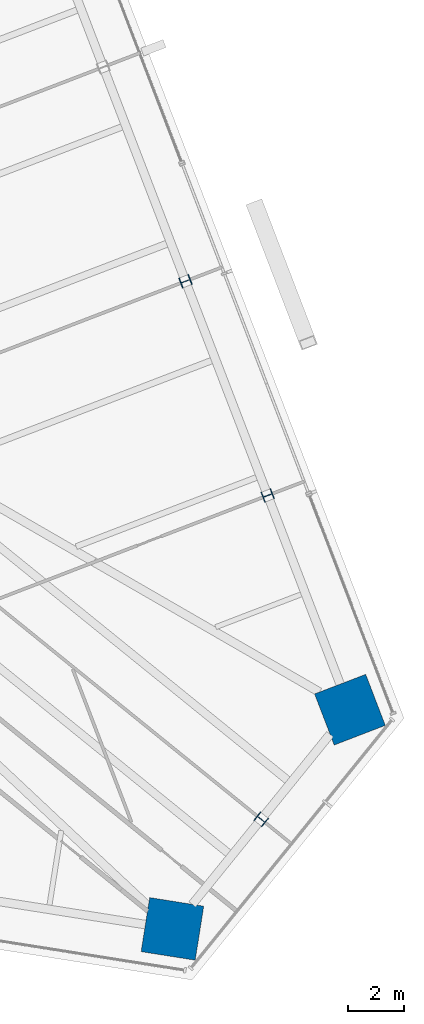
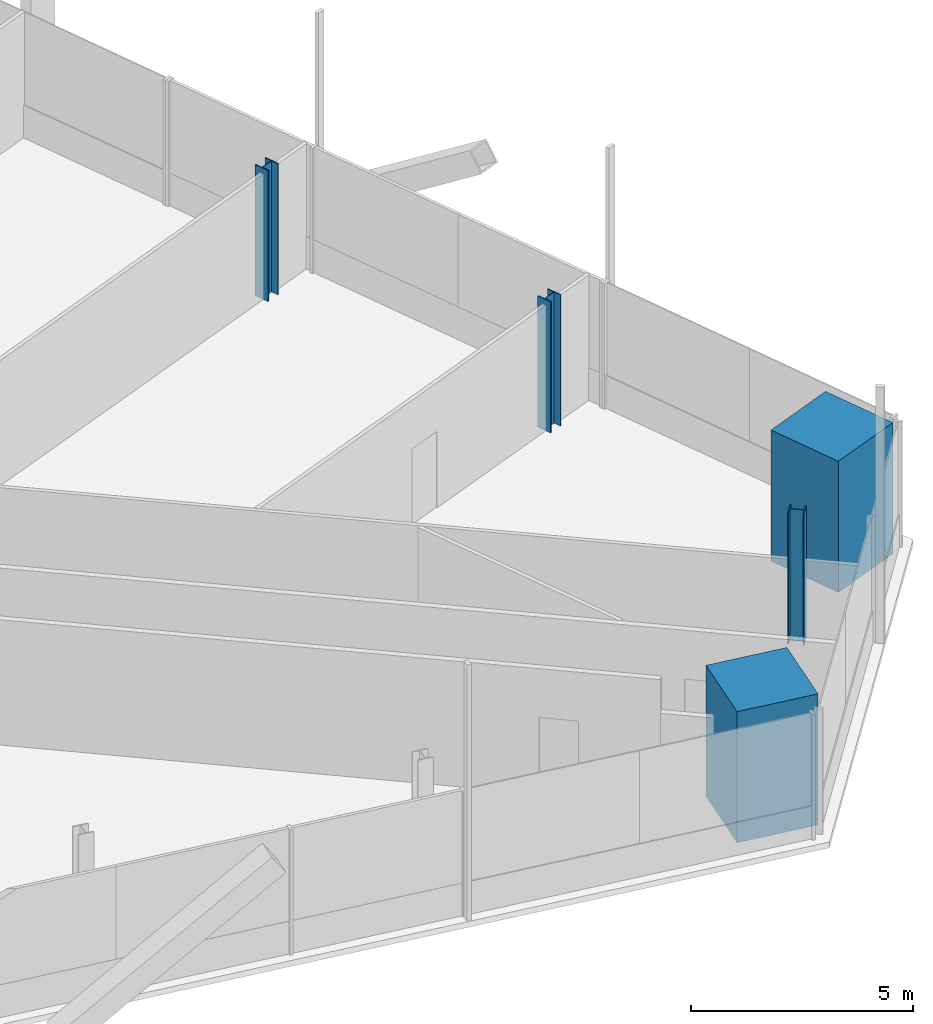
# One storey, part 2 of 21: 5 columns.
"""IFC4 building model written with IfcOpenShell, lengths in metres."""

from ifc_helpers import new_model, si_unit, direction, frame, origin, origin_2d, place, context, subcontext, project, spatial, rectangle, i_section, extrude, source, transform, mapped, material, material_profile, profile_set, type_object, element, save


model = new_model("IFC4")

# Units and contexts
model_context = context("Model", 3, precision=1e-05, world=origin(), true_north=direction((0.0, 1.0)))
body_context = subcontext(model_context, "Body", "Model", "MODEL_VIEW")
ifc_project = project(units=[si_unit("LENGTHUNIT", "METRE"), si_unit("AREAUNIT", "SQUARE_METRE"), si_unit("VOLUMEUNIT", "CUBIC_METRE"), si_unit("PLANEANGLEUNIT", "RADIAN"), si_unit("MASSUNIT", "GRAM", prefix="KILO")], contexts=[model_context])

# Site, building, storey
site_placement = place(None, origin())
site = spatial("IfcSite", under=ifc_project, at=site_placement, CompositionType="ELEMENT")
building_placement = place(site_placement, origin())
building = spatial("IfcBuilding", under=site, at=building_placement, Name="Triune Harvest Tower", CompositionType="ELEMENT")
storey_placement = place(building_placement, frame((0.0, 0.0, 160.5)))
storey = spatial("IfcBuildingStorey", under=building, at=storey_placement, Name="L41", CompositionType="ELEMENT", Elevation=160.5)

# Columns
ifc_material_1 = material(Name="Concrete 70 MPa", Category="concrete")
ifc_material_profile_1 = material_profile(ifc_material_1, rectangle(XDim=1.949951171875, YDim=1.949951171875, at=origin_2d()), Name="Composite 1950x1950")
ifc_profile_set_1 = profile_set([ifc_material_profile_1], Name="Concrete 70 MPa")
column_type_1 = type_object("IfcColumnType", Name="MC-4 Mega column Composite 1950x1950", PredefinedType="COLUMN", material=ifc_profile_set_1)
shared_shape_1 = source(origin(), body_context, "Body", "SweptSolid", [
    extrude(rectangle(XDim=1.949951171875, YDim=1.949951171875, at=origin_2d()), origin(), (0.0, 0.0, 1.0), 3.60009765625),
])
for number, where, z_axis, x_axis, name in (
    (1, (27.425048828125, -15.742431640625, 0.0), (0.0, 0.0, 1.0), (-0.358367949545, 0.933580426497, 0.0), "col/L41/M0"),
    (2, (21.100341796875, -23.552734375, 0.0), (0.0, 0.0, 1.0), (0.987688340595, -0.15643446504, 0.0), "col/L41/M22"),
):
    element("IfcColumn", number, at=place(storey_placement, frame(where, z_axis=z_axis, x_axis=x_axis)), inside=storey, type_object=column_type_1, Name=name, PredefinedType="COLUMN", context=body_context, shape_type="MappedRepresentation", body=[
        mapped(shared_shape_1, transform((0.0, 0.0, 0.0), scale=1.0)),
    ])
ifc_material_2 = material(Name="Steel ASTM A992 Gr 50", Category="steel")
ifc_material_profile_2 = material_profile(ifc_material_2, i_section(OverallWidth=0.373291015625, OverallDepth=0.373291015625, WebThickness=0.016357421875, FlangeThickness=0.026123046875, at=origin_2d()), Name="W14x132")
ifc_profile_set_2 = profile_set([ifc_material_profile_2], Name="Steel ASTM A992 Gr 50")
column_type_2 = type_object("IfcColumnType", Name="PC-4 Perimeter column W14x132", PredefinedType="COLUMN", material=ifc_profile_set_2)
shared_shape_2 = source(origin(), body_context, "Body", "SweptSolid", [
    extrude(i_section(OverallWidth=0.373291015625, OverallDepth=0.373291015625, WebThickness=0.016357421875, FlangeThickness=0.026123046875, at=origin_2d()), origin(), (0.0, 0.0, 1.0), 3.60009765625),
])
for number, where, z_axis, x_axis, name in (
    (3, (24.495361328125, -8.1103515625, 0.0), (0.0, 0.0, 1.0), (-0.358367949545, 0.933580426497, 0.0), "col/L41/P1"),
    (4, (21.565673828125, -0.478271484375, 0.0), (0.0, 0.0, 1.0), (-0.358367949545, 0.933580426497, 0.0), "col/L41/P2"),
    (5, (24.2626953125, -19.647705078125, 1.199951171875), (0.0, 0.0, 1.0), (0.629321747424, 0.777144863084, 0.0), "col/L41/P23"),
):
    element("IfcColumn", number, at=place(storey_placement, frame(where, z_axis=z_axis, x_axis=x_axis)), inside=storey, type_object=column_type_2, Name=name, PredefinedType="COLUMN", context=body_context, shape_type="MappedRepresentation", body=[
        mapped(shared_shape_2, transform((0.0, 0.0, 0.0), scale=1.0)),
    ])

save(model, "model.ifc")
